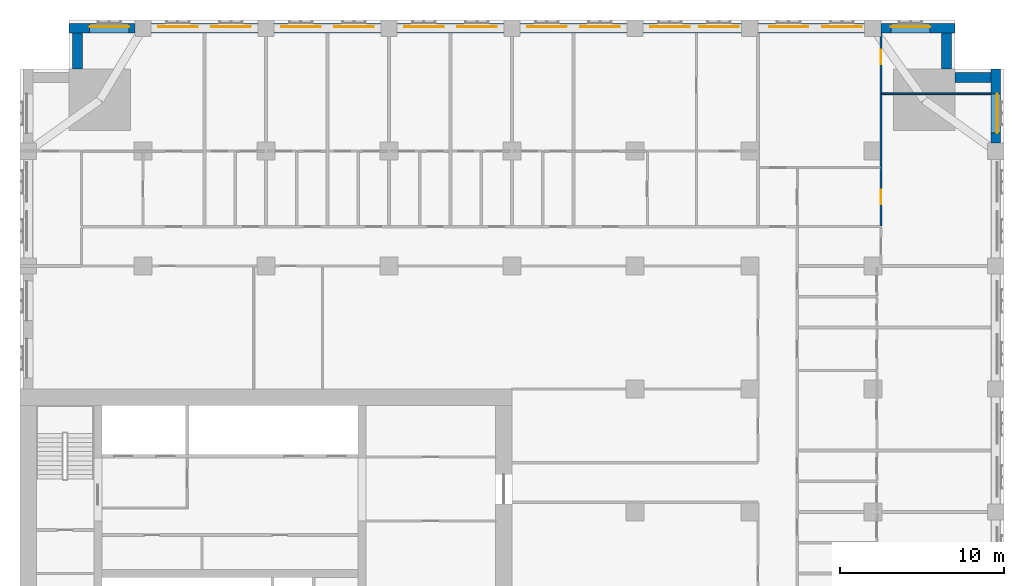
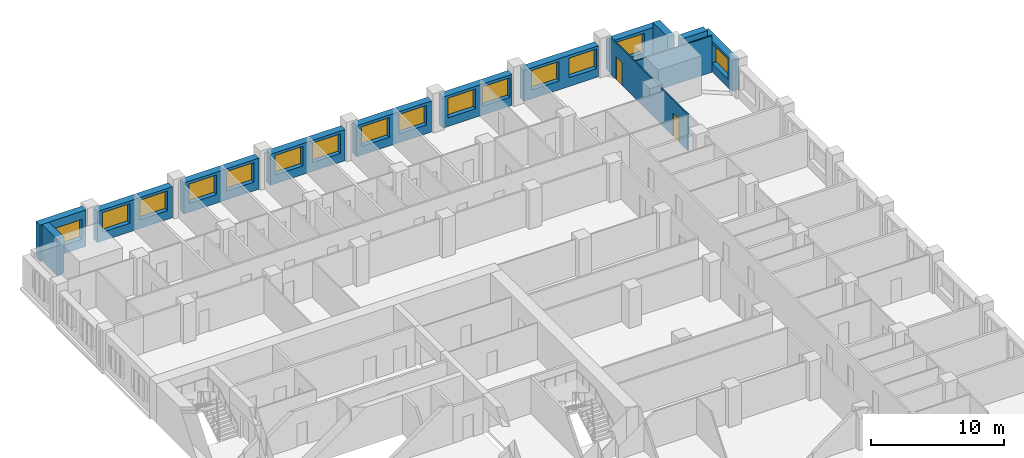
# One storey, part 12 of 15: 15 windows, 14 walls, 2 doors, 17 openings.
"""IFC4 building model written with IfcOpenShell, lengths in metres."""

from ifc_helpers import new_model, si_unit, direction, frame, frame_2d, origin, place, context, subcontext, project, spatial, rectangle, extrude, material, layer, layer_set, type_object, element, fill, save


model = new_model("IFC4")

# Units and contexts
model_context = context("Model", 3, precision=1e-05, world=origin(), true_north=direction((0.0, 1.0)))
body_context = subcontext(model_context, "Body", "Model", "MODEL_VIEW")
ifc_project = project(units=[si_unit("LENGTHUNIT", "METRE"), si_unit("AREAUNIT", "SQUARE_METRE"), si_unit("VOLUMEUNIT", "CUBIC_METRE"), si_unit("PLANEANGLEUNIT", "RADIAN"), si_unit("MASSUNIT", "GRAM", prefix="KILO")], contexts=[model_context])

# Site, building, storey
site_placement = place(None, origin())
site = spatial("IfcSite", under=ifc_project, at=site_placement, CompositionType="ELEMENT")
building_placement = place(site_placement, origin())
building = spatial("IfcBuilding", under=site, at=building_placement, Name="Tamorin Gate", CompositionType="ELEMENT")
storey_placement = place(building_placement, frame((0.0, 0.0, 82.699951171875)))
storey = spatial("IfcBuildingStorey", under=building, at=storey_placement, Name="L19", CompositionType="ELEMENT", Elevation=82.699951171875)

# Wall, opening, window
ifc_material_1 = material(Name="Precast concrete C40/50", Category="concrete")
ifc_layer_1 = layer(ifc_material_1, 0.60009765625)
ifc_layer_set_1 = layer_set([ifc_layer_1], Name="Precast concrete C40/50")
wall_type_1 = type_object("IfcWallType", Name="Board-marked concrete facade panel 600", PredefinedType="SOLIDWALL", material=ifc_layer_set_1)
wall_1_placement = place(storey_placement, frame((89.5, 97.5, 0.0), z_axis=(0.0, 0.0, 1.0), x_axis=(0.0, 1.0, 0.0)))
wall_1 = element("IfcWall", 1, at=wall_1_placement, inside=storey, type_object=wall_type_1, Name="Facade panel", PredefinedType="SOLIDWALL", context=body_context, shape_type="SweptSolid", body=[
    extrude(rectangle(XDim=4.5, YDim=0.60009765625, at=frame_2d((2.25, 0.0))), origin(), (0.0, 0.0, 1.0), 2.85009765625),
])
opening_1_placement = place(wall_1_placement, frame((0.60009765625, 0.0, 0.800048828125)))
opening_1 = element("IfcOpeningElement", 2, at=opening_1_placement, cuts=wall_1, Name="Opening WN1", PredefinedType="OPENING", context=body_context, shape_type="SweptSolid", body=[
    extrude(rectangle(XDim=2.39990234375, YDim=1.800048828125, at=frame_2d((1.199951171875, 0.89990234375))), frame((0.0, 0.31005859375, 0.0), z_axis=(0.0, -1.0, 0.0), x_axis=(1.0, 0.0, 0.0)), (0.0, 0.0, 1.0), 0.6201171875),
])
ifc_material_2 = material(Name="Clear glass in aluminium frame", Category="aluminium")
window_type = type_object("IfcWindowType", Name="Deep-set window 2400x1800", PartitioningType="SINGLE_PANEL", PredefinedType="WINDOW", material=ifc_material_2)
window_1_placement = place(opening_1_placement, origin())
window_1 = element("IfcWindow", 3, at=window_1_placement, inside=storey, type_object=window_type, Name="Deep-set window", OverallHeight=1.800048828125, OverallWidth=2.39990234375, PartitioningType="SINGLE_PANEL", PredefinedType="WINDOW", context=body_context, shape_type="SweptSolid", body=[
    extrude(rectangle(XDim=2.39990234375, YDim=1.800048828125, at=frame_2d((1.199951171875, 0.89990234375))), frame((0.0, -0.070068359375, 0.0), z_axis=(0.0, -1.0, 0.0), x_axis=(1.0, 0.0, 0.0)), (0.0, 0.0, 1.0), 0.06005859375),
])
fill(opening_1, window_1)

# Walls
for number, where, z_axis, x_axis, name in (
    (4, (89.199951171875, 101.5, 0.0), (0.0, 0.0, 1.0), (-1.0, 0.0, 0.0), "Facade panel"),
    (5, (86.5, 102.0, 0.0), (0.0, 0.0, 1.0), (0.0, 1.0, 0.0), "Facade panel"),
):
    element("IfcWall", number, at=place(storey_placement, frame(where, z_axis=z_axis, x_axis=x_axis)), inside=storey, type_object=wall_type_1, Name=name, PredefinedType="SOLIDWALL", context=body_context, shape_type="SweptSolid", body=[
        extrude(rectangle(XDim=2.199951171875, YDim=0.60009765625, at=frame_2d((1.10009765625, 0.0))), origin(), (0.0, 0.0, 1.0), 3.35009765625),
    ])

# Wall, opening, window
wall_2_placement = place(storey_placement, frame((87.0, 104.5, 0.0), z_axis=(0.0, 0.0, 1.0), x_axis=(-1.0, 0.0, 0.0)))
wall_2 = element("IfcWall", 6, at=wall_2_placement, inside=storey, type_object=wall_type_1, Name="Facade panel", PredefinedType="SOLIDWALL", context=body_context, shape_type="SweptSolid", body=[
    extrude(rectangle(XDim=4.5, YDim=0.60009765625, at=frame_2d((2.25, 0.0))), origin(), (0.0, 0.0, 1.0), 2.85009765625),
])
opening_2_placement = place(wall_2_placement, frame((1.5, 0.0, 0.800048828125)))
opening_2 = element("IfcOpeningElement", 7, at=opening_2_placement, cuts=wall_2, Name="Opening WN1", PredefinedType="OPENING", context=body_context, shape_type="SweptSolid", body=[
    extrude(rectangle(XDim=2.39990234375, YDim=1.800048828125, at=frame_2d((1.199951171875, 0.89990234375))), frame((0.0, 0.31005859375, 0.0), z_axis=(0.0, -1.0, 0.0), x_axis=(1.0, 0.0, 0.0)), (0.0, 0.0, 1.0), 0.6201171875),
])
window_2_placement = place(opening_2_placement, origin())
window_2 = element("IfcWindow", 8, at=window_2_placement, inside=storey, type_object=window_type, Name="Deep-set window", OverallHeight=1.800048828125, OverallWidth=2.39990234375, PartitioningType="SINGLE_PANEL", PredefinedType="WINDOW", context=body_context, shape_type="SweptSolid", body=[
    extrude(rectangle(XDim=2.39990234375, YDim=1.800048828125, at=frame_2d((1.199951171875, 0.89990234375))), frame((0.0, -0.070068359375, 0.0), z_axis=(0.0, -1.0, 0.0), x_axis=(1.0, 0.0, 0.0)), (0.0, 0.0, 1.0), 0.06005859375),
])
fill(opening_2, window_2)

# Wall, openings, windows
wall_3_placement = place(storey_placement, frame((81.5, 104.5, 0.0), z_axis=(0.0, 0.0, 1.0), x_axis=(-1.0, 0.0, 0.0)))
wall_3 = element("IfcWall", 9, at=wall_3_placement, inside=storey, type_object=wall_type_1, Name="Facade panel", PredefinedType="SOLIDWALL", context=body_context, shape_type="SweptSolid", body=[
    extrude(rectangle(XDim=6.5, YDim=0.60009765625, at=frame_2d((3.25, 0.0))), origin(), (0.0, 0.0, 1.0), 2.85009765625),
])
opening_3_placement = place(wall_3_placement, frame((3.425048828125, 0.0, 0.800048828125)))
opening_3 = element("IfcOpeningElement", 10, at=opening_3_placement, cuts=wall_3, Name="Opening WN1", PredefinedType="OPENING", context=body_context, shape_type="SweptSolid", body=[
    extrude(rectangle(XDim=2.39990234375, YDim=1.800048828125, at=frame_2d((1.199951171875, 0.89990234375))), frame((0.0, 0.31005859375, 0.0), z_axis=(0.0, -1.0, 0.0), x_axis=(1.0, 0.0, 0.0)), (0.0, 0.0, 1.0), 0.6201171875),
])
opening_4_placement = place(wall_3_placement, frame((0.175048828125, 0.0, 0.800048828125)))
opening_4 = element("IfcOpeningElement", 11, at=opening_4_placement, cuts=wall_3, Name="Opening WN1", PredefinedType="OPENING", context=body_context, shape_type="SweptSolid", body=[
    extrude(rectangle(XDim=2.39990234375, YDim=1.800048828125, at=frame_2d((1.199951171875, 0.89990234375))), frame((0.0, 0.31005859375, 0.0), z_axis=(0.0, -1.0, 0.0), x_axis=(1.0, 0.0, 0.0)), (0.0, 0.0, 1.0), 0.6201171875),
])
window_3_placement = place(opening_3_placement, origin())
window_3 = element("IfcWindow", 12, at=window_3_placement, inside=storey, type_object=window_type, Name="Deep-set window", OverallHeight=1.800048828125, OverallWidth=2.39990234375, PartitioningType="SINGLE_PANEL", PredefinedType="WINDOW", context=body_context, shape_type="SweptSolid", body=[
    extrude(rectangle(XDim=2.39990234375, YDim=1.800048828125, at=frame_2d((1.199951171875, 0.89990234375))), frame((0.0, -0.070068359375, 0.0), z_axis=(0.0, -1.0, 0.0), x_axis=(1.0, 0.0, 0.0)), (0.0, 0.0, 1.0), 0.06005859375),
])
fill(opening_3, window_3)
window_4_placement = place(opening_4_placement, origin())
window_4 = element("IfcWindow", 13, at=window_4_placement, inside=storey, type_object=window_type, Name="Deep-set window", OverallHeight=1.800048828125, OverallWidth=2.39990234375, PartitioningType="SINGLE_PANEL", PredefinedType="WINDOW", context=body_context, shape_type="SweptSolid", body=[
    extrude(rectangle(XDim=2.39990234375, YDim=1.800048828125, at=frame_2d((1.199951171875, 0.89990234375))), frame((0.0, -0.070068359375, 0.0), z_axis=(0.0, -1.0, 0.0), x_axis=(1.0, 0.0, 0.0)), (0.0, 0.0, 1.0), 0.06005859375),
])
fill(opening_4, window_4)

wall_4_placement = place(storey_placement, frame((74.0, 104.5, 0.0), z_axis=(0.0, 0.0, 1.0), x_axis=(-1.0, 0.0, 0.0)))
wall_4 = element("IfcWall", 14, at=wall_4_placement, inside=storey, type_object=wall_type_1, Name="Facade panel", PredefinedType="SOLIDWALL", context=body_context, shape_type="SweptSolid", body=[
    extrude(rectangle(XDim=6.0, YDim=0.60009765625, at=frame_2d((3.0, 0.0))), origin(), (0.0, 0.0, 1.0), 2.85009765625),
])
opening_5_placement = place(wall_4_placement, frame((3.175048828125, 0.0, 0.800048828125)))
opening_5 = element("IfcOpeningElement", 15, at=opening_5_placement, cuts=wall_4, Name="Opening WN1", PredefinedType="OPENING", context=body_context, shape_type="SweptSolid", body=[
    extrude(rectangle(XDim=2.39990234375, YDim=1.800048828125, at=frame_2d((1.199951171875, 0.89990234375))), frame((0.0, 0.31005859375, 0.0), z_axis=(0.0, -1.0, 0.0), x_axis=(1.0, 0.0, 0.0)), (0.0, 0.0, 1.0), 0.6201171875),
])
opening_6_placement = place(wall_4_placement, frame((0.175048828125, 0.0, 0.800048828125)))
opening_6 = element("IfcOpeningElement", 16, at=opening_6_placement, cuts=wall_4, Name="Opening WN1", PredefinedType="OPENING", context=body_context, shape_type="SweptSolid", body=[
    extrude(rectangle(XDim=2.39990234375, YDim=1.800048828125, at=frame_2d((1.199951171875, 0.89990234375))), frame((0.0, 0.31005859375, 0.0), z_axis=(0.0, -1.0, 0.0), x_axis=(1.0, 0.0, 0.0)), (0.0, 0.0, 1.0), 0.6201171875),
])
window_5_placement = place(opening_5_placement, origin())
window_5 = element("IfcWindow", 17, at=window_5_placement, inside=storey, type_object=window_type, Name="Deep-set window", OverallHeight=1.800048828125, OverallWidth=2.39990234375, PartitioningType="SINGLE_PANEL", PredefinedType="WINDOW", context=body_context, shape_type="SweptSolid", body=[
    extrude(rectangle(XDim=2.39990234375, YDim=1.800048828125, at=frame_2d((1.199951171875, 0.89990234375))), frame((0.0, -0.070068359375, 0.0), z_axis=(0.0, -1.0, 0.0), x_axis=(1.0, 0.0, 0.0)), (0.0, 0.0, 1.0), 0.06005859375),
])
fill(opening_5, window_5)
window_6_placement = place(opening_6_placement, origin())
window_6 = element("IfcWindow", 18, at=window_6_placement, inside=storey, type_object=window_type, Name="Deep-set window", OverallHeight=1.800048828125, OverallWidth=2.39990234375, PartitioningType="SINGLE_PANEL", PredefinedType="WINDOW", context=body_context, shape_type="SweptSolid", body=[
    extrude(rectangle(XDim=2.39990234375, YDim=1.800048828125, at=frame_2d((1.199951171875, 0.89990234375))), frame((0.0, -0.070068359375, 0.0), z_axis=(0.0, -1.0, 0.0), x_axis=(1.0, 0.0, 0.0)), (0.0, 0.0, 1.0), 0.06005859375),
])
fill(opening_6, window_6)

wall_5_placement = place(storey_placement, frame((67.0, 104.5, 0.0), z_axis=(0.0, 0.0, 1.0), x_axis=(-1.0, 0.0, 0.0)))
wall_5 = element("IfcWall", 19, at=wall_5_placement, inside=storey, type_object=wall_type_1, Name="Facade panel", PredefinedType="SOLIDWALL", context=body_context, shape_type="SweptSolid", body=[
    extrude(rectangle(XDim=6.5, YDim=0.60009765625, at=frame_2d((3.25, 0.0))), origin(), (0.0, 0.0, 1.0), 2.85009765625),
])
opening_7_placement = place(wall_5_placement, frame((3.675048828125, 0.0, 0.800048828125)))
opening_7 = element("IfcOpeningElement", 20, at=opening_7_placement, cuts=wall_5, Name="Opening WN1", PredefinedType="OPENING", context=body_context, shape_type="SweptSolid", body=[
    extrude(rectangle(XDim=2.39990234375, YDim=1.800048828125, at=frame_2d((1.199951171875, 0.89990234375))), frame((0.0, 0.31005859375, 0.0), z_axis=(0.0, -1.0, 0.0), x_axis=(1.0, 0.0, 0.0)), (0.0, 0.0, 1.0), 0.6201171875),
])
opening_8_placement = place(wall_5_placement, frame((0.425048828125, 0.0, 0.800048828125)))
opening_8 = element("IfcOpeningElement", 21, at=opening_8_placement, cuts=wall_5, Name="Opening WN1", PredefinedType="OPENING", context=body_context, shape_type="SweptSolid", body=[
    extrude(rectangle(XDim=2.39990234375, YDim=1.800048828125, at=frame_2d((1.199951171875, 0.89990234375))), frame((0.0, 0.31005859375, 0.0), z_axis=(0.0, -1.0, 0.0), x_axis=(1.0, 0.0, 0.0)), (0.0, 0.0, 1.0), 0.6201171875),
])
window_7_placement = place(opening_7_placement, origin())
window_7 = element("IfcWindow", 22, at=window_7_placement, inside=storey, type_object=window_type, Name="Deep-set window", OverallHeight=1.800048828125, OverallWidth=2.39990234375, PartitioningType="SINGLE_PANEL", PredefinedType="WINDOW", context=body_context, shape_type="SweptSolid", body=[
    extrude(rectangle(XDim=2.39990234375, YDim=1.800048828125, at=frame_2d((1.199951171875, 0.89990234375))), frame((0.0, -0.070068359375, 0.0), z_axis=(0.0, -1.0, 0.0), x_axis=(1.0, 0.0, 0.0)), (0.0, 0.0, 1.0), 0.06005859375),
])
fill(opening_7, window_7)
window_8_placement = place(opening_8_placement, origin())
window_8 = element("IfcWindow", 23, at=window_8_placement, inside=storey, type_object=window_type, Name="Deep-set window", OverallHeight=1.800048828125, OverallWidth=2.39990234375, PartitioningType="SINGLE_PANEL", PredefinedType="WINDOW", context=body_context, shape_type="SweptSolid", body=[
    extrude(rectangle(XDim=2.39990234375, YDim=1.800048828125, at=frame_2d((1.199951171875, 0.89990234375))), frame((0.0, -0.070068359375, 0.0), z_axis=(0.0, -1.0, 0.0), x_axis=(1.0, 0.0, 0.0)), (0.0, 0.0, 1.0), 0.06005859375),
])
fill(opening_8, window_8)

wall_6_placement = place(storey_placement, frame((59.5, 104.5, 0.0), z_axis=(0.0, 0.0, 1.0), x_axis=(-1.0, 0.0, 0.0)))
wall_6 = element("IfcWall", 24, at=wall_6_placement, inside=storey, type_object=wall_type_1, Name="Facade panel", PredefinedType="SOLIDWALL", context=body_context, shape_type="SweptSolid", body=[
    extrude(rectangle(XDim=6.5, YDim=0.60009765625, at=frame_2d((3.25, 0.0))), origin(), (0.0, 0.0, 1.0), 2.85009765625),
])
opening_9_placement = place(wall_6_placement, frame((3.675048828125, 0.0, 0.800048828125)))
opening_9 = element("IfcOpeningElement", 25, at=opening_9_placement, cuts=wall_6, Name="Opening WN1", PredefinedType="OPENING", context=body_context, shape_type="SweptSolid", body=[
    extrude(rectangle(XDim=2.39990234375, YDim=1.800048828125, at=frame_2d((1.199951171875, 0.89990234375))), frame((0.0, 0.31005859375, 0.0), z_axis=(0.0, -1.0, 0.0), x_axis=(1.0, 0.0, 0.0)), (0.0, 0.0, 1.0), 0.6201171875),
])
opening_10_placement = place(wall_6_placement, frame((0.425048828125, 0.0, 0.800048828125)))
opening_10 = element("IfcOpeningElement", 26, at=opening_10_placement, cuts=wall_6, Name="Opening WN1", PredefinedType="OPENING", context=body_context, shape_type="SweptSolid", body=[
    extrude(rectangle(XDim=2.39990234375, YDim=1.800048828125, at=frame_2d((1.199951171875, 0.89990234375))), frame((0.0, 0.31005859375, 0.0), z_axis=(0.0, -1.0, 0.0), x_axis=(1.0, 0.0, 0.0)), (0.0, 0.0, 1.0), 0.6201171875),
])
window_9_placement = place(opening_9_placement, origin())
window_9 = element("IfcWindow", 27, at=window_9_placement, inside=storey, type_object=window_type, Name="Deep-set window", OverallHeight=1.800048828125, OverallWidth=2.39990234375, PartitioningType="SINGLE_PANEL", PredefinedType="WINDOW", context=body_context, shape_type="SweptSolid", body=[
    extrude(rectangle(XDim=2.39990234375, YDim=1.800048828125, at=frame_2d((1.199951171875, 0.89990234375))), frame((0.0, -0.070068359375, 0.0), z_axis=(0.0, -1.0, 0.0), x_axis=(1.0, 0.0, 0.0)), (0.0, 0.0, 1.0), 0.06005859375),
])
fill(opening_9, window_9)
window_10_placement = place(opening_10_placement, origin())
window_10 = element("IfcWindow", 28, at=window_10_placement, inside=storey, type_object=window_type, Name="Deep-set window", OverallHeight=1.800048828125, OverallWidth=2.39990234375, PartitioningType="SINGLE_PANEL", PredefinedType="WINDOW", context=body_context, shape_type="SweptSolid", body=[
    extrude(rectangle(XDim=2.39990234375, YDim=1.800048828125, at=frame_2d((1.199951171875, 0.89990234375))), frame((0.0, -0.070068359375, 0.0), z_axis=(0.0, -1.0, 0.0), x_axis=(1.0, 0.0, 0.0)), (0.0, 0.0, 1.0), 0.06005859375),
])
fill(opening_10, window_10)

wall_7_placement = place(storey_placement, frame((52.0, 104.5, 0.0), z_axis=(0.0, 0.0, 1.0), x_axis=(-1.0, 0.0, 0.0)))
wall_7 = element("IfcWall", 29, at=wall_7_placement, inside=storey, type_object=wall_type_1, Name="Facade panel", PredefinedType="SOLIDWALL", context=body_context, shape_type="SweptSolid", body=[
    extrude(rectangle(XDim=6.5, YDim=0.60009765625, at=frame_2d((3.25, 0.0))), origin(), (0.0, 0.0, 1.0), 2.85009765625),
])
opening_11_placement = place(wall_7_placement, frame((3.675048828125, 0.0, 0.800048828125)))
opening_11 = element("IfcOpeningElement", 30, at=opening_11_placement, cuts=wall_7, Name="Opening WN1", PredefinedType="OPENING", context=body_context, shape_type="SweptSolid", body=[
    extrude(rectangle(XDim=2.39990234375, YDim=1.800048828125, at=frame_2d((1.199951171875, 0.89990234375))), frame((0.0, 0.31005859375, 0.0), z_axis=(0.0, -1.0, 0.0), x_axis=(1.0, 0.0, 0.0)), (0.0, 0.0, 1.0), 0.6201171875),
])
opening_12_placement = place(wall_7_placement, frame((0.425048828125, 0.0, 0.800048828125)))
opening_12 = element("IfcOpeningElement", 31, at=opening_12_placement, cuts=wall_7, Name="Opening WN1", PredefinedType="OPENING", context=body_context, shape_type="SweptSolid", body=[
    extrude(rectangle(XDim=2.39990234375, YDim=1.800048828125, at=frame_2d((1.199951171875, 0.89990234375))), frame((0.0, 0.31005859375, 0.0), z_axis=(0.0, -1.0, 0.0), x_axis=(1.0, 0.0, 0.0)), (0.0, 0.0, 1.0), 0.6201171875),
])
window_11_placement = place(opening_11_placement, origin())
window_11 = element("IfcWindow", 32, at=window_11_placement, inside=storey, type_object=window_type, Name="Deep-set window", OverallHeight=1.800048828125, OverallWidth=2.39990234375, PartitioningType="SINGLE_PANEL", PredefinedType="WINDOW", context=body_context, shape_type="SweptSolid", body=[
    extrude(rectangle(XDim=2.39990234375, YDim=1.800048828125, at=frame_2d((1.199951171875, 0.89990234375))), frame((0.0, -0.070068359375, 0.0), z_axis=(0.0, -1.0, 0.0), x_axis=(1.0, 0.0, 0.0)), (0.0, 0.0, 1.0), 0.06005859375),
])
fill(opening_11, window_11)
window_12_placement = place(opening_12_placement, origin())
window_12 = element("IfcWindow", 33, at=window_12_placement, inside=storey, type_object=window_type, Name="Deep-set window", OverallHeight=1.800048828125, OverallWidth=2.39990234375, PartitioningType="SINGLE_PANEL", PredefinedType="WINDOW", context=body_context, shape_type="SweptSolid", body=[
    extrude(rectangle(XDim=2.39990234375, YDim=1.800048828125, at=frame_2d((1.199951171875, 0.89990234375))), frame((0.0, -0.070068359375, 0.0), z_axis=(0.0, -1.0, 0.0), x_axis=(1.0, 0.0, 0.0)), (0.0, 0.0, 1.0), 0.06005859375),
])
fill(opening_12, window_12)

wall_8_placement = place(storey_placement, frame((44.5, 104.5, 0.0), z_axis=(0.0, 0.0, 1.0), x_axis=(-1.0, 0.0, 0.0)))
wall_8 = element("IfcWall", 34, at=wall_8_placement, inside=storey, type_object=wall_type_1, Name="Facade panel", PredefinedType="SOLIDWALL", context=body_context, shape_type="SweptSolid", body=[
    extrude(rectangle(XDim=6.5, YDim=0.60009765625, at=frame_2d((3.25, 0.0))), origin(), (0.0, 0.0, 1.0), 2.85009765625),
])
opening_13_placement = place(wall_8_placement, frame((3.675048828125, 0.0, 0.800048828125)))
opening_13 = element("IfcOpeningElement", 35, at=opening_13_placement, cuts=wall_8, Name="Opening WN1", PredefinedType="OPENING", context=body_context, shape_type="SweptSolid", body=[
    extrude(rectangle(XDim=2.39990234375, YDim=1.800048828125, at=frame_2d((1.199951171875, 0.89990234375))), frame((0.0, 0.31005859375, 0.0), z_axis=(0.0, -1.0, 0.0), x_axis=(1.0, 0.0, 0.0)), (0.0, 0.0, 1.0), 0.6201171875),
])
opening_14_placement = place(wall_8_placement, frame((0.425048828125, 0.0, 0.800048828125)))
opening_14 = element("IfcOpeningElement", 36, at=opening_14_placement, cuts=wall_8, Name="Opening WN1", PredefinedType="OPENING", context=body_context, shape_type="SweptSolid", body=[
    extrude(rectangle(XDim=2.39990234375, YDim=1.800048828125, at=frame_2d((1.199951171875, 0.89990234375))), frame((0.0, 0.31005859375, 0.0), z_axis=(0.0, -1.0, 0.0), x_axis=(1.0, 0.0, 0.0)), (0.0, 0.0, 1.0), 0.6201171875),
])
window_13_placement = place(opening_13_placement, origin())
window_13 = element("IfcWindow", 37, at=window_13_placement, inside=storey, type_object=window_type, Name="Deep-set window", OverallHeight=1.800048828125, OverallWidth=2.39990234375, PartitioningType="SINGLE_PANEL", PredefinedType="WINDOW", context=body_context, shape_type="SweptSolid", body=[
    extrude(rectangle(XDim=2.39990234375, YDim=1.800048828125, at=frame_2d((1.199951171875, 0.89990234375))), frame((0.0, -0.070068359375, 0.0), z_axis=(0.0, -1.0, 0.0), x_axis=(1.0, 0.0, 0.0)), (0.0, 0.0, 1.0), 0.06005859375),
])
fill(opening_13, window_13)
window_14_placement = place(opening_14_placement, origin())
window_14 = element("IfcWindow", 38, at=window_14_placement, inside=storey, type_object=window_type, Name="Deep-set window", OverallHeight=1.800048828125, OverallWidth=2.39990234375, PartitioningType="SINGLE_PANEL", PredefinedType="WINDOW", context=body_context, shape_type="SweptSolid", body=[
    extrude(rectangle(XDim=2.39990234375, YDim=1.800048828125, at=frame_2d((1.199951171875, 0.89990234375))), frame((0.0, -0.070068359375, 0.0), z_axis=(0.0, -1.0, 0.0), x_axis=(1.0, 0.0, 0.0)), (0.0, 0.0, 1.0), 0.06005859375),
])
fill(opening_14, window_14)

# Wall, opening, window
wall_9_placement = place(storey_placement, frame((37.0, 104.5, 0.0), z_axis=(0.0, 0.0, 1.0), x_axis=(-1.0, 0.0, 0.0)))
wall_9 = element("IfcWall", 39, at=wall_9_placement, inside=storey, type_object=wall_type_1, Name="Facade panel", PredefinedType="SOLIDWALL", context=body_context, shape_type="SweptSolid", body=[
    extrude(rectangle(XDim=4.0, YDim=0.60009765625, at=frame_2d((2.0, 0.0))), origin(), (0.0, 0.0, 1.0), 3.35009765625),
])
opening_15_placement = place(wall_9_placement, frame((0.35009765625, 0.0, 0.800048828125)))
opening_15 = element("IfcOpeningElement", 40, at=opening_15_placement, cuts=wall_9, Name="Opening WN1", PredefinedType="OPENING", context=body_context, shape_type="SweptSolid", body=[
    extrude(rectangle(XDim=2.39990234375, YDim=1.800048828125, at=frame_2d((1.199951171875, 0.89990234375))), frame((0.0, 0.31005859375, 0.0), z_axis=(0.0, -1.0, 0.0), x_axis=(1.0, 0.0, 0.0)), (0.0, 0.0, 1.0), 0.6201171875),
])
window_15_placement = place(opening_15_placement, origin())
window_15 = element("IfcWindow", 41, at=window_15_placement, inside=storey, type_object=window_type, Name="Deep-set window", OverallHeight=1.800048828125, OverallWidth=2.39990234375, PartitioningType="SINGLE_PANEL", PredefinedType="WINDOW", context=body_context, shape_type="SweptSolid", body=[
    extrude(rectangle(XDim=2.39990234375, YDim=1.800048828125, at=frame_2d((1.199951171875, 0.89990234375))), frame((0.0, -0.070068359375, 0.0), z_axis=(0.0, -1.0, 0.0), x_axis=(1.0, 0.0, 0.0)), (0.0, 0.0, 1.0), 0.06005859375),
])
fill(opening_15, window_15)

# Walls
wall_10_placement = place(storey_placement, frame((33.5, 104.199951171875, 0.0), z_axis=(0.0, 0.0, 1.0), x_axis=(0.0, -1.0, 0.0)))
element("IfcWall", 42, at=wall_10_placement, inside=storey, type_object=wall_type_1, Name="Facade panel", PredefinedType="SOLIDWALL", context=body_context, shape_type="SweptSolid", body=[
    extrude(rectangle(XDim=2.199951171875, YDim=0.60009765625, at=frame_2d((1.10009765625, 0.0))), origin(), (0.0, 0.0, 1.0), 3.35009765625),
])
ifc_material_3 = material(Name="Gypsum board partition")
ifc_layer_2 = layer(ifc_material_3, 0.10009765625)
ifc_layer_set_2 = layer_set([ifc_layer_2], Name="Room partition 100")
wall_type_2 = type_object("IfcWallType", Name="Room partition 100", PredefinedType="PARTITIONING", material=ifc_layer_set_2)
wall_11_placement = place(storey_placement, frame((82.550048828125, 100.5, 0.0), z_axis=(0.0, 0.0, 1.0), x_axis=(1.0, 0.0, 0.0)))
element("IfcWall", 43, at=wall_11_placement, inside=storey, type_object=wall_type_2, Name="Room partition 100", PredefinedType="PARTITIONING", context=body_context, shape_type="SweptSolid", body=[
    extrude(rectangle(XDim=6.639892578125, YDim=0.10009765625, at=frame_2d((3.31982421875, 0.0))), origin(), (0.0, 0.0, 1.0), 3.35009765625),
])

# Wall, openings, doors
wall_12_placement = place(storey_placement, frame((82.5, 92.46240234375, 0.0), z_axis=(0.0, 0.0, 1.0), x_axis=(0.0, 1.0, 0.0)))
wall_12 = element("IfcWall", 44, at=wall_12_placement, inside=storey, type_object=wall_type_2, Name="Room partition 100", PredefinedType="PARTITIONING", context=body_context, shape_type="SweptSolid", body=[
    extrude(rectangle(XDim=11.7275390625, YDim=0.10009765625, at=frame_2d((5.86376953125, 0.0))), origin(), (0.0, 0.0, 1.0), 3.35009765625),
])
opening_16_placement = place(wall_12_placement, frame((9.83740234375, 0.0, 0.0)))
opening_16 = element("IfcOpeningElement", 45, at=opening_16_placement, cuts=wall_12, Name="Opening DH6083", PredefinedType="OPENING", context=body_context, shape_type="SweptSolid", body=[
    extrude(rectangle(XDim=0.89990234375, YDim=2.10009765625, at=frame_2d((0.449951171875, 1.050048828125))), frame((0.0, 0.06005859375, 0.0), z_axis=(0.0, -1.0, 0.0), x_axis=(1.0, 0.0, 0.0)), (0.0, 0.0, 1.0), 0.1201171875),
])
opening_17_placement = place(wall_12_placement, frame((1.28759765625, 0.0, 0.0)))
opening_17 = element("IfcOpeningElement", 46, at=opening_17_placement, cuts=wall_12, Name="Opening DH6084", PredefinedType="OPENING", context=body_context, shape_type="SweptSolid", body=[
    extrude(rectangle(XDim=0.89990234375, YDim=2.10009765625, at=frame_2d((0.449951171875, 1.050048828125))), frame((0.0, 0.06005859375, 0.0), z_axis=(0.0, -1.0, 0.0), x_axis=(1.0, 0.0, 0.0)), (0.0, 0.0, 1.0), 0.1201171875),
])
ifc_material_4 = material(Name="Timber door leaf", Category="wood")
door_type = type_object("IfcDoorType", Name="Door 900 x 2100", OperationType="NOTDEFINED", PredefinedType="DOOR", material=ifc_material_4)
door_1_placement = place(opening_16_placement, origin())
door_1 = element("IfcDoor", 47, at=door_1_placement, inside=storey, type_object=door_type, Name="Door DH6083", OperationType="SINGLE_SWING_LEFT", OverallHeight=2.10009765625, OverallWidth=0.89990234375, PredefinedType="DOOR", context=body_context, shape_type="SweptSolid", body=[
    extrude(rectangle(XDim=0.89990234375, YDim=2.10009765625, at=frame_2d((0.449951171875, 1.050048828125))), frame((0.0, 0.02490234375, 0.0), z_axis=(0.0, -1.0, 0.0), x_axis=(1.0, 0.0, 0.0)), (0.0, 0.0, 1.0), 0.050048828125),
])
fill(opening_16, door_1)
door_2_placement = place(opening_17_placement, origin())
door_2 = element("IfcDoor", 48, at=door_2_placement, inside=storey, type_object=door_type, Name="Door DH6084", OperationType="SINGLE_SWING_RIGHT", OverallHeight=2.10009765625, OverallWidth=0.89990234375, PredefinedType="DOOR", context=body_context, shape_type="SweptSolid", body=[
    extrude(rectangle(XDim=0.89990234375, YDim=2.10009765625, at=frame_2d((0.449951171875, 1.050048828125))), frame((0.0, 0.02490234375, 0.0), z_axis=(0.0, -1.0, 0.0), x_axis=(1.0, 0.0, 0.0)), (0.0, 0.0, 1.0), 0.050048828125),
])
fill(opening_17, door_2)

save(model, "model.ifc")
